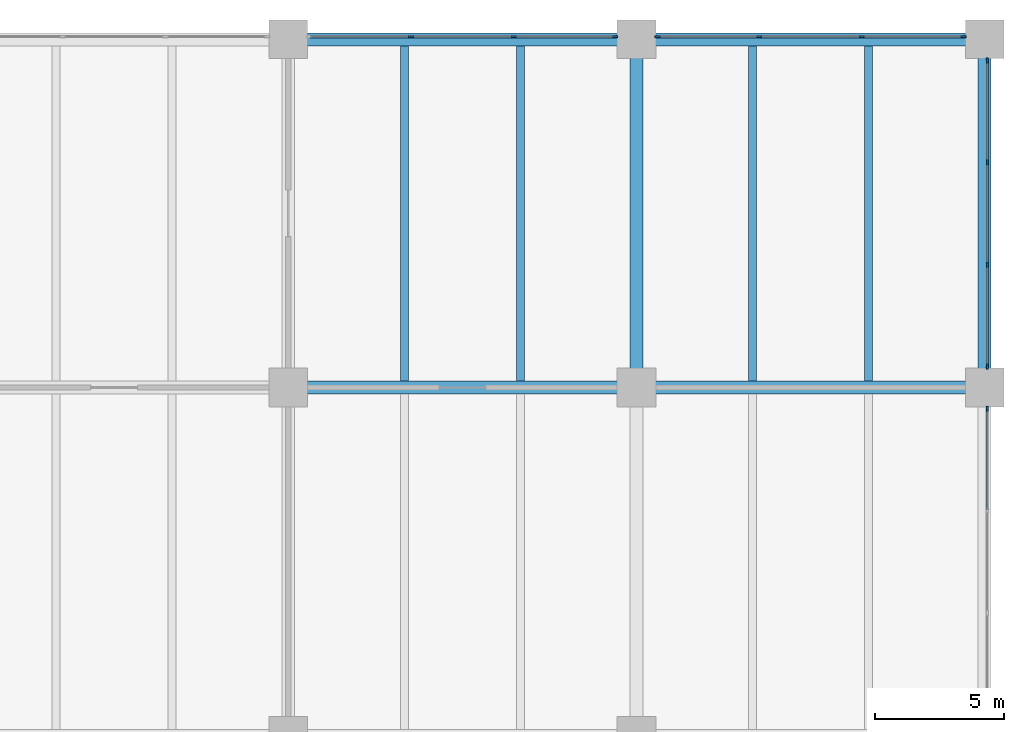
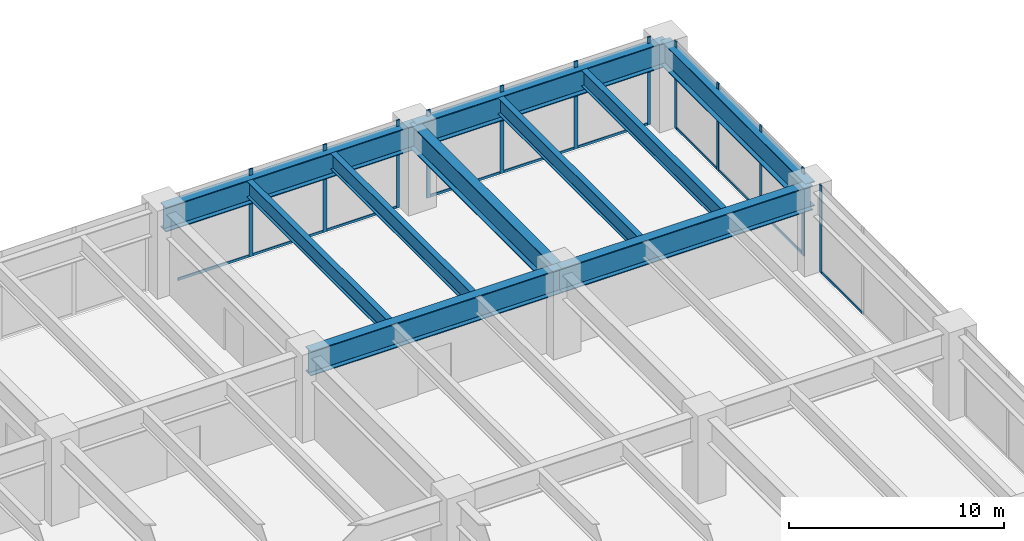
# One storey, part 17 of 31: 22 members, 10 beams, 4 elements without a shape of their own.
"""IFC4 building model written with IfcOpenShell, lengths in metres."""

from ifc_helpers import new_model, si_unit, direction, frame, origin, origin_2d, place, context, subcontext, project, spatial, rectangle, i_section, extrude, material, material_profile, profile_set, type_object, element, aggregate, save


model = new_model("IFC4")

# Units and contexts
model_context = context("Model", 3, precision=1e-05, world=origin(), true_north=direction((0.0, 1.0)))
body_context = subcontext(model_context, "Body", "Model", "MODEL_VIEW")
ifc_project = project(units=[si_unit("LENGTHUNIT", "METRE"), si_unit("AREAUNIT", "SQUARE_METRE"), si_unit("VOLUMEUNIT", "CUBIC_METRE"), si_unit("PLANEANGLEUNIT", "RADIAN"), si_unit("MASSUNIT", "GRAM", prefix="KILO")], contexts=[model_context])

# Site, building, storey
site_placement = place(None, origin())
site = spatial("IfcSite", under=ifc_project, at=site_placement, CompositionType="ELEMENT")
building_placement = place(site_placement, origin())
building = spatial("IfcBuilding", under=site, at=building_placement, Name="Upepo Twin Towers", CompositionType="ELEMENT")
storey_placement = place(building_placement, frame((0.0, 0.0, 15.5)))
storey = spatial("IfcBuildingStorey", under=building, at=storey_placement, Name="L03", CompositionType="ELEMENT", Elevation=15.5)

# Beams
ifc_material_1 = material(Name="Steel S355", Category="steel")
ifc_material_profile_1 = material_profile(ifc_material_1, i_section(OverallWidth=0.5, OverallDepth=1.39990234375, WebThickness=0.02490234375, FlangeThickness=0.050048828125, FilletRadius=0.008056640625, at=origin_2d()), Name="PG 1400x500x25x50")
ifc_profile_set_1 = profile_set([ifc_material_profile_1], Name="Steel S355")
beam_type_1 = type_object("IfcBeamType", Name="Beam PG 1400x500x25x50", PredefinedType="BEAM", material=ifc_profile_set_1)
for number, where, z_axis, x_axis, name in (
    (1, (67.5, 27.0, 3.949951171875), (1.0, 0.0, 0.0), (0.0, 1.0, 0.0), "Podium girder F/8-9"),
    (2, (81.0, 27.0, 3.949951171875), (1.0, 0.0, 0.0), (0.0, 1.0, 0.0), "Podium girder F/9-10"),
    (3, (67.5, 40.5, 3.949951171875), (1.0, 0.0, 0.0), (0.0, 1.0, 0.0), "Podium girder G/8-9"),
    (4, (81.0, 40.5, 3.949951171875), (1.0, 0.0, 0.0), (0.0, 1.0, 0.0), "Podium girder G/9-10"),
    (5, (81.0, 27.0, 3.949951171875), (0.0, 1.0, 0.0), (-1.0, 0.0, 0.0), "Podium girder 9/F-G"),
    (6, (94.5, 27.0, 3.949951171875), (0.0, 1.0, 0.0), (-1.0, 0.0, 0.0), "Podium girder 10/F-G"),
):
    element("IfcBeam", number, at=place(storey_placement, frame(where, z_axis=z_axis, x_axis=x_axis)), inside=storey, type_object=beam_type_1, Name=name, PredefinedType="BEAM", context=body_context, shape_type="SweptSolid", body=[
        extrude(i_section(OverallWidth=0.5, OverallDepth=1.39990234375, WebThickness=0.02490234375, FlangeThickness=0.050048828125, FilletRadius=0.008056640625, at=origin_2d()), origin(), (0.0, 0.0, 1.0), 13.5),
    ])

# Curtain wall, member
ifc_material_2 = material(Name="Aluminium and clear glass", Category="aluminium")
curtain_wall_type = type_object("IfcCurtainWallType", Name="Podium curtain wall PW1", PredefinedType="NOTDEFINED", material=ifc_material_2)
curtain_wall_1_placement = place(storey_placement, origin())
curtain_wall_1 = element("IfcCurtainWall", 7, at=curtain_wall_1_placement, inside=storey, type_object=curtain_wall_type, Name="Podium L03 curtain wall E5", PredefinedType="NOTDEFINED")
ifc_material_3 = material(Name="Aluminium mullion", Category="aluminium")
ifc_material_profile_2 = material_profile(ifc_material_3, rectangle(XDim=0.06494140625, YDim=0.199951171875, at=origin_2d()), Name="MULLION 65x200 PODIUM")
ifc_profile_set_2 = profile_set([ifc_material_profile_2], Name="Aluminium mullion")
member_type_1 = type_object("IfcMemberType", Name="Mullion 65x200 PW1", PredefinedType="MULLION", material=ifc_profile_set_2)
member_1_placement = place(storey_placement, frame((94.60009765625, 26.1826171875, 0.0), z_axis=(0.0, 0.0, 1.0), x_axis=(-1.0, 0.0, 0.0)))
member_1 = element("IfcMember", 8, at=member_1_placement, type_object=member_type_1, Name="Podium L03 curtain wall E5 mullion 4", PredefinedType="MULLION", context=body_context, shape_type="SweptSolid", body=[
    extrude(rectangle(XDim=0.06494140625, YDim=0.199951171875, at=origin_2d()), origin(), (0.0, 0.0, 1.0), 5.0),
])

# Curtain wall, members
curtain_wall_2_placement = place(storey_placement, origin())
curtain_wall_2 = element("IfcCurtainWall", 9, at=curtain_wall_2_placement, inside=storey, type_object=curtain_wall_type, Name="Podium L03 curtain wall E6", PredefinedType="NOTDEFINED")
member_2_placement = place(storey_placement, frame((94.60009765625, 27.8173828125, 0.0), z_axis=(0.0, 0.0, 1.0), x_axis=(-1.0, 0.0, 0.0)))
member_2 = element("IfcMember", 10, at=member_2_placement, type_object=member_type_1, Name="Podium L03 curtain wall E6 mullion 1", PredefinedType="MULLION", context=body_context, shape_type="SweptSolid", body=[
    extrude(rectangle(XDim=0.06494140625, YDim=0.199951171875, at=origin_2d()), origin(), (0.0, 0.0, 1.0), 5.0),
])
member_3_placement = place(storey_placement, frame((94.60009765625, 31.76171875, 0.0), z_axis=(0.0, 0.0, 1.0), x_axis=(-1.0, 0.0, 0.0)))
member_3 = element("IfcMember", 11, at=member_3_placement, type_object=member_type_1, Name="Podium L03 curtain wall E6 mullion 2", PredefinedType="MULLION", context=body_context, shape_type="SweptSolid", body=[
    extrude(rectangle(XDim=0.06494140625, YDim=0.199951171875, at=origin_2d()), origin(), (0.0, 0.0, 1.0), 5.0),
])
member_4_placement = place(storey_placement, frame((94.60009765625, 35.73828125, 0.0), z_axis=(0.0, 0.0, 1.0), x_axis=(-1.0, 0.0, 0.0)))
member_4 = element("IfcMember", 12, at=member_4_placement, type_object=member_type_1, Name="Podium L03 curtain wall E6 mullion 3", PredefinedType="MULLION", context=body_context, shape_type="SweptSolid", body=[
    extrude(rectangle(XDim=0.06494140625, YDim=0.199951171875, at=origin_2d()), origin(), (0.0, 0.0, 1.0), 5.0),
])
member_5_placement = place(storey_placement, frame((94.60009765625, 39.6826171875, 0.0), z_axis=(0.0, 0.0, 1.0), x_axis=(-1.0, 0.0, 0.0)))
member_5 = element("IfcMember", 13, at=member_5_placement, type_object=member_type_1, Name="Podium L03 curtain wall E6 mullion 4", PredefinedType="MULLION", context=body_context, shape_type="SweptSolid", body=[
    extrude(rectangle(XDim=0.06494140625, YDim=0.199951171875, at=origin_2d()), origin(), (0.0, 0.0, 1.0), 5.0),
])

curtain_wall_3_placement = place(storey_placement, origin())
curtain_wall_3 = element("IfcCurtainWall", 14, at=curtain_wall_3_placement, inside=storey, type_object=curtain_wall_type, Name="Podium L03 curtain wall N1", PredefinedType="NOTDEFINED")
member_6_placement = place(storey_placement, frame((93.6826171875, 40.60009765625, 0.0), z_axis=(0.0, 0.0, 1.0), x_axis=(0.0, -1.0, 0.0)))
member_6 = element("IfcMember", 15, at=member_6_placement, type_object=member_type_1, Name="Podium L03 curtain wall N1 mullion 1", PredefinedType="MULLION", context=body_context, shape_type="SweptSolid", body=[
    extrude(rectangle(XDim=0.06494140625, YDim=0.199951171875, at=origin_2d()), origin(), (0.0, 0.0, 1.0), 5.0),
])
member_7_placement = place(storey_placement, frame((89.73828125, 40.60009765625, 0.0), z_axis=(0.0, 0.0, 1.0), x_axis=(0.0, -1.0, 0.0)))
member_7 = element("IfcMember", 16, at=member_7_placement, type_object=member_type_1, Name="Podium L03 curtain wall N1 mullion 2", PredefinedType="MULLION", context=body_context, shape_type="SweptSolid", body=[
    extrude(rectangle(XDim=0.06494140625, YDim=0.199951171875, at=origin_2d()), origin(), (0.0, 0.0, 1.0), 5.0),
])
member_8_placement = place(storey_placement, frame((85.76171875, 40.60009765625, 0.0), z_axis=(0.0, 0.0, 1.0), x_axis=(0.0, -1.0, 0.0)))
member_8 = element("IfcMember", 17, at=member_8_placement, type_object=member_type_1, Name="Podium L03 curtain wall N1 mullion 3", PredefinedType="MULLION", context=body_context, shape_type="SweptSolid", body=[
    extrude(rectangle(XDim=0.06494140625, YDim=0.199951171875, at=origin_2d()), origin(), (0.0, 0.0, 1.0), 5.0),
])
member_9_placement = place(storey_placement, frame((81.8173828125, 40.60009765625, 0.0), z_axis=(0.0, 0.0, 1.0), x_axis=(0.0, -1.0, 0.0)))
member_9 = element("IfcMember", 18, at=member_9_placement, type_object=member_type_1, Name="Podium L03 curtain wall N1 mullion 4", PredefinedType="MULLION", context=body_context, shape_type="SweptSolid", body=[
    extrude(rectangle(XDim=0.06494140625, YDim=0.199951171875, at=origin_2d()), origin(), (0.0, 0.0, 1.0), 5.0),
])

curtain_wall_4_placement = place(storey_placement, origin())
curtain_wall_4 = element("IfcCurtainWall", 19, at=curtain_wall_4_placement, inside=storey, type_object=curtain_wall_type, Name="Podium L03 curtain wall N2", PredefinedType="NOTDEFINED")
member_10_placement = place(storey_placement, frame((80.1826171875, 40.60009765625, 0.0), z_axis=(0.0, 0.0, 1.0), x_axis=(0.0, -1.0, 0.0)))
member_10 = element("IfcMember", 20, at=member_10_placement, type_object=member_type_1, Name="Podium L03 curtain wall N2 mullion 1", PredefinedType="MULLION", context=body_context, shape_type="SweptSolid", body=[
    extrude(rectangle(XDim=0.06494140625, YDim=0.199951171875, at=origin_2d()), origin(), (0.0, 0.0, 1.0), 5.0),
])
member_11_placement = place(storey_placement, frame((76.23828125, 40.60009765625, 0.0), z_axis=(0.0, 0.0, 1.0), x_axis=(0.0, -1.0, 0.0)))
member_11 = element("IfcMember", 21, at=member_11_placement, type_object=member_type_1, Name="Podium L03 curtain wall N2 mullion 2", PredefinedType="MULLION", context=body_context, shape_type="SweptSolid", body=[
    extrude(rectangle(XDim=0.06494140625, YDim=0.199951171875, at=origin_2d()), origin(), (0.0, 0.0, 1.0), 5.0),
])
member_12_placement = place(storey_placement, frame((72.26171875, 40.60009765625, 0.0), z_axis=(0.0, 0.0, 1.0), x_axis=(0.0, -1.0, 0.0)))
member_12 = element("IfcMember", 22, at=member_12_placement, type_object=member_type_1, Name="Podium L03 curtain wall N2 mullion 3", PredefinedType="MULLION", context=body_context, shape_type="SweptSolid", body=[
    extrude(rectangle(XDim=0.06494140625, YDim=0.199951171875, at=origin_2d()), origin(), (0.0, 0.0, 1.0), 5.0),
])

# Beams
ifc_material_4 = material(Name="Steel S355", Category="steel")
ifc_material_profile_3 = material_profile(ifc_material_4, i_section(OverallWidth=0.305419921875, OverallDepth=0.91845703125, WebThickness=0.017333984375, FlangeThickness=0.02783203125, FilletRadius=0.01904296875, at=origin_2d()), Name="UB 914x305x253")
ifc_profile_set_3 = profile_set([ifc_material_profile_3], Name="Steel S355")
beam_type_2 = type_object("IfcBeamType", Name="Secondary beam UB 914x305x253", PredefinedType="JOIST", material=ifc_profile_set_3)
for number, where, z_axis, x_axis, name in (
    (23, (72.0, 27.25, 4.19091796875), (0.0, 1.0, 0.0), (-1.0, 0.0, 0.0), "Podium secondary beam F8.1"),
    (24, (76.5, 27.25, 4.19091796875), (0.0, 1.0, 0.0), (-1.0, 0.0, 0.0), "Podium secondary beam F8.2"),
    (25, (85.5, 27.25, 4.19091796875), (0.0, 1.0, 0.0), (-1.0, 0.0, 0.0), "Podium secondary beam F9.1"),
    (26, (90.0, 27.25, 4.19091796875), (0.0, 1.0, 0.0), (-1.0, 0.0, 0.0), "Podium secondary beam F9.2"),
):
    element("IfcBeam", number, at=place(storey_placement, frame(where, z_axis=z_axis, x_axis=x_axis)), inside=storey, type_object=beam_type_2, Name=name, PredefinedType="JOIST", context=body_context, shape_type="SweptSolid", body=[
        extrude(i_section(OverallWidth=0.305419921875, OverallDepth=0.91845703125, WebThickness=0.017333984375, FlangeThickness=0.02783203125, FilletRadius=0.01904296875, at=origin_2d()), origin(), (0.0, 0.0, 1.0), 13.0),
    ])

# Member
ifc_material_5 = material(Name="Aluminium transom", Category="aluminium")
ifc_material_profile_4 = material_profile(ifc_material_5, rectangle(XDim=0.06494140625, YDim=0.14990234375, at=origin_2d()), Name="TRANSOM 65x150 PODIUM")
ifc_profile_set_4 = profile_set([ifc_material_profile_4], Name="Aluminium transom")
member_type_2 = type_object("IfcMemberType", Name="Transom 65x150 PW1", PredefinedType="USERDEFINED", material=ifc_profile_set_4)
member_13_placement = place(storey_placement, frame((94.60009765625, 22.270751953125, 0.074951171875), z_axis=(0.0, 1.0, 0.0), x_axis=(-1.0, 0.0, 0.0)))
member_13 = element("IfcMember", 27, at=member_13_placement, type_object=member_type_2, Name="Podium L03 curtain wall E5 transom 3", ObjectType="TRANSOM", PredefinedType="USERDEFINED", context=body_context, shape_type="SweptSolid", body=[
    extrude(rectangle(XDim=0.06494140625, YDim=0.14990234375, at=origin_2d()), origin(), (0.0, 0.0, 1.0), 3.879150390625),
])

aggregate(curtain_wall_1, [member_1, member_13])

member_14_placement = place(storey_placement, frame((94.60009765625, 27.85009765625, 0.074951171875), z_axis=(0.0, 1.0, 0.0), x_axis=(-1.0, 0.0, 0.0)))
member_14 = element("IfcMember", 28, at=member_14_placement, type_object=member_type_2, Name="Podium L03 curtain wall E6 transom 1", ObjectType="TRANSOM", PredefinedType="USERDEFINED", context=body_context, shape_type="SweptSolid", body=[
    extrude(rectangle(XDim=0.06494140625, YDim=0.14990234375, at=origin_2d()), origin(), (0.0, 0.0, 1.0), 3.879150390625),
])

member_15_placement = place(storey_placement, frame((94.60009765625, 31.794189453125, 0.074951171875), z_axis=(0.0, 1.0, 0.0), x_axis=(-1.0, 0.0, 0.0)))
member_15 = element("IfcMember", 29, at=member_15_placement, type_object=member_type_2, Name="Podium L03 curtain wall E6 transom 2", ObjectType="TRANSOM", PredefinedType="USERDEFINED", context=body_context, shape_type="SweptSolid", body=[
    extrude(rectangle(XDim=0.06494140625, YDim=0.14990234375, at=origin_2d()), origin(), (0.0, 0.0, 1.0), 3.91162109375),
])

member_16_placement = place(storey_placement, frame((94.60009765625, 35.770751953125, 0.074951171875), z_axis=(0.0, 1.0, 0.0), x_axis=(-1.0, 0.0, 0.0)))
member_16 = element("IfcMember", 30, at=member_16_placement, type_object=member_type_2, Name="Podium L03 curtain wall E6 transom 3", ObjectType="TRANSOM", PredefinedType="USERDEFINED", context=body_context, shape_type="SweptSolid", body=[
    extrude(rectangle(XDim=0.06494140625, YDim=0.14990234375, at=origin_2d()), origin(), (0.0, 0.0, 1.0), 3.879150390625),
])

aggregate(curtain_wall_2, [member_2, member_3, member_4, member_5, member_14, member_15, member_16])

member_17_placement = place(storey_placement, frame((93.64990234375, 40.60009765625, 0.074951171875), z_axis=(-1.0, 0.0, 0.0), x_axis=(0.0, -1.0, 0.0)))
member_17 = element("IfcMember", 31, at=member_17_placement, type_object=member_type_2, Name="Podium L03 curtain wall N1 transom 1", ObjectType="TRANSOM", PredefinedType="USERDEFINED", context=body_context, shape_type="SweptSolid", body=[
    extrude(rectangle(XDim=0.06494140625, YDim=0.14990234375, at=origin_2d()), origin(), (0.0, 0.0, 1.0), 3.879150390625),
])

member_18_placement = place(storey_placement, frame((89.705810546875, 40.60009765625, 0.074951171875), z_axis=(-1.0, 0.0, 0.0), x_axis=(0.0, -1.0, 0.0)))
member_18 = element("IfcMember", 32, at=member_18_placement, type_object=member_type_2, Name="Podium L03 curtain wall N1 transom 2", ObjectType="TRANSOM", PredefinedType="USERDEFINED", context=body_context, shape_type="SweptSolid", body=[
    extrude(rectangle(XDim=0.06494140625, YDim=0.14990234375, at=origin_2d()), origin(), (0.0, 0.0, 1.0), 3.91162109375),
])

member_19_placement = place(storey_placement, frame((85.729248046875, 40.60009765625, 0.074951171875), z_axis=(-1.0, 0.0, 0.0), x_axis=(0.0, -1.0, 0.0)))
member_19 = element("IfcMember", 33, at=member_19_placement, type_object=member_type_2, Name="Podium L03 curtain wall N1 transom 3", ObjectType="TRANSOM", PredefinedType="USERDEFINED", context=body_context, shape_type="SweptSolid", body=[
    extrude(rectangle(XDim=0.06494140625, YDim=0.14990234375, at=origin_2d()), origin(), (0.0, 0.0, 1.0), 3.879150390625),
])

aggregate(curtain_wall_3, [member_6, member_7, member_8, member_9, member_17, member_18, member_19])

member_20_placement = place(storey_placement, frame((80.14990234375, 40.60009765625, 0.074951171875), z_axis=(-1.0, 0.0, 0.0), x_axis=(0.0, -1.0, 0.0)))
member_20 = element("IfcMember", 34, at=member_20_placement, type_object=member_type_2, Name="Podium L03 curtain wall N2 transom 1", ObjectType="TRANSOM", PredefinedType="USERDEFINED", context=body_context, shape_type="SweptSolid", body=[
    extrude(rectangle(XDim=0.06494140625, YDim=0.14990234375, at=origin_2d()), origin(), (0.0, 0.0, 1.0), 3.879150390625),
])

member_21_placement = place(storey_placement, frame((76.205810546875, 40.60009765625, 0.074951171875), z_axis=(-1.0, 0.0, 0.0), x_axis=(0.0, -1.0, 0.0)))
member_21 = element("IfcMember", 35, at=member_21_placement, type_object=member_type_2, Name="Podium L03 curtain wall N2 transom 2", ObjectType="TRANSOM", PredefinedType="USERDEFINED", context=body_context, shape_type="SweptSolid", body=[
    extrude(rectangle(XDim=0.06494140625, YDim=0.14990234375, at=origin_2d()), origin(), (0.0, 0.0, 1.0), 3.91162109375),
])

member_22_placement = place(storey_placement, frame((72.229248046875, 40.60009765625, 0.074951171875), z_axis=(-1.0, 0.0, 0.0), x_axis=(0.0, -1.0, 0.0)))
member_22 = element("IfcMember", 36, at=member_22_placement, type_object=member_type_2, Name="Podium L03 curtain wall N2 transom 3", ObjectType="TRANSOM", PredefinedType="USERDEFINED", context=body_context, shape_type="SweptSolid", body=[
    extrude(rectangle(XDim=0.06494140625, YDim=0.14990234375, at=origin_2d()), origin(), (0.0, 0.0, 1.0), 3.879150390625),
])

aggregate(curtain_wall_4, [member_10, member_11, member_12, member_20, member_21, member_22])

save(model, "model.ifc")
